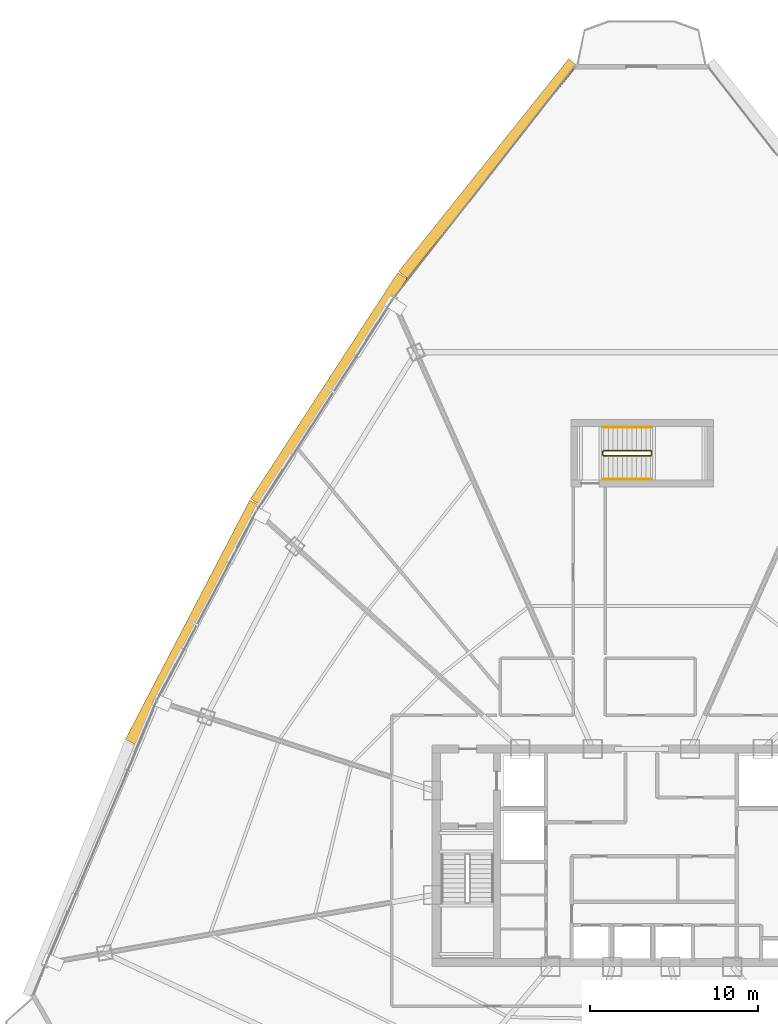
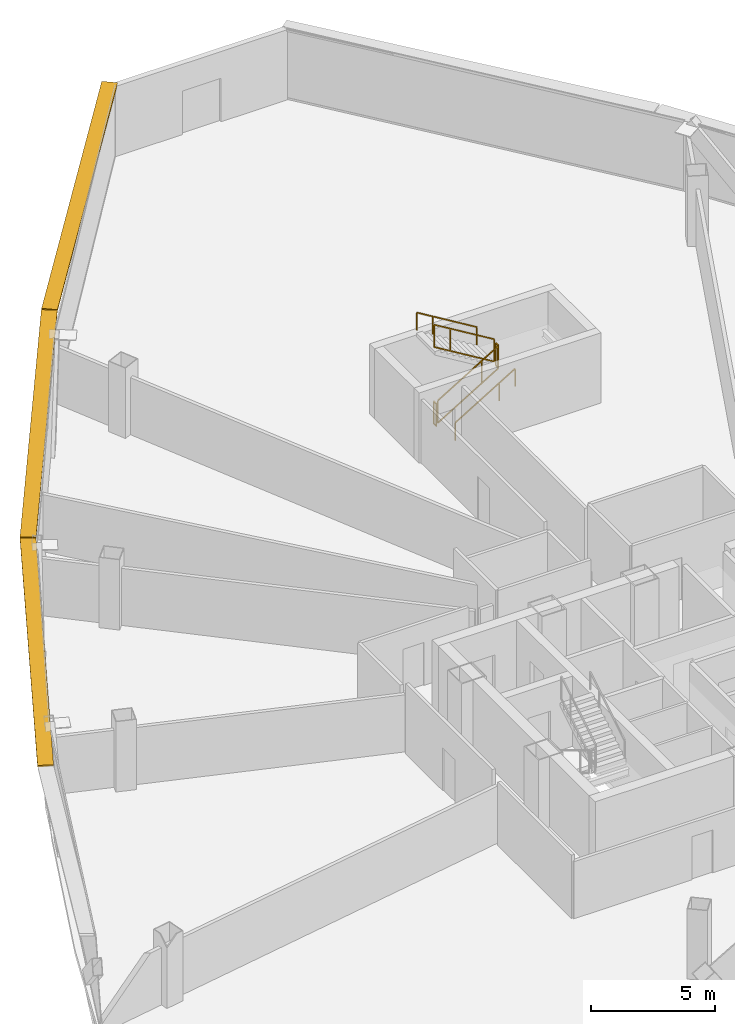
# One storey, part 34 of 35: 6 railings, 3 shading devices.
"""IFC4 building model written with IfcOpenShell, lengths in metres."""

from ifc_helpers import new_model, si_unit, direction, frame, origin, origin_2d, place, context, subcontext, project, spatial, rectangle, extrude, source, transform, mapped, material, layer, layer_set, type_object, element, save


model = new_model("IFC4")

# Units and contexts
model_context = context("Model", 3, precision=1e-05, world=origin(), true_north=direction((0.0, 1.0)))
body_context = subcontext(model_context, "Body", "Model", "MODEL_VIEW")
ifc_project = project(units=[si_unit("LENGTHUNIT", "METRE"), si_unit("AREAUNIT", "SQUARE_METRE"), si_unit("VOLUMEUNIT", "CUBIC_METRE"), si_unit("PLANEANGLEUNIT", "RADIAN"), si_unit("MASSUNIT", "GRAM", prefix="KILO"), si_unit("THERMODYNAMICTEMPERATUREUNIT", "KELVIN"), si_unit("POWERUNIT", "WATT")], contexts=[model_context])

# Site, building, storey
site_placement = place(None, origin())
site = spatial("IfcSite", under=ifc_project, at=site_placement, CompositionType="ELEMENT")
building_placement = place(site_placement, origin())
building = spatial("IfcBuilding", under=site, at=building_placement, Name="Yunzhuo Pagoda Commons", CompositionType="ELEMENT")
storey_placement = place(building_placement, frame((0.0, 0.0, 237.070068359375)))
storey = spatial("IfcBuildingStorey", under=building, at=storey_placement, Name="L59", CompositionType="ELEMENT", Elevation=237.070068359375)

# Railings
ifc_material = material(Name="Anodized aluminium 6063-T6", Category="aluminium")
railing_type_1 = type_object("IfcRailingType", Name="GR-ST3 North Well Guardrail 1155", PredefinedType="GUARDRAIL", material=ifc_material)
railing_1_placement = place(storey_placement, frame((45.75, 57.64990234375, 0.16943359375)))
element("IfcRailing", 1, at=railing_1_placement, inside=storey, type_object=railing_type_1, Name="L59 ST3 stair guard 1", PredefinedType="GUARDRAIL", context=body_context, shape_type="SweptSolid", body=[
    extrude(rectangle(XDim=0.048095703125, YDim=0.048095703125, at=origin_2d()), frame((0.0, 0.0, 1.1259765625), z_axis=(0.855393119324, 0.0, 0.517979354234), x_axis=(0.0, 1.0, 0.0)), (0.0, 0.0, 1.0), 3.2734375),
    extrude(rectangle(XDim=0.048095703125, YDim=0.048095703125, at=origin_2d()), frame((0.0, 0.0, 0.02392578125), z_axis=(0.855393119324, 0.0, 0.517979354234), x_axis=(0.0, 1.0, 0.0)), (0.0, 0.0, 1.0), 3.2734375),
    extrude(rectangle(XDim=0.0419921875, YDim=0.0419921875, at=origin_2d()), origin(), (0.0, 0.0, 1.0), 1.101806640625),
    extrude(rectangle(XDim=0.0419921875, YDim=0.0419921875, at=origin_2d()), frame((2.052978515625, 0.0, 1.2431640625)), (0.0, 0.0, 1.0), 1.101806640625),
    extrude(rectangle(XDim=0.0419921875, YDim=0.0419921875, at=origin_2d()), frame((2.800048828125, 0.0, 1.695556640625)), (0.0, 0.0, 1.0), 1.101806640625),
])
railing_2_placement = place(storey_placement, frame((48.60009765625, 57.699951171875, 1.864990234375)))
element("IfcRailing", 2, at=railing_2_placement, inside=storey, type_object=railing_type_1, Name="L59 ST3 stair guard 2", PredefinedType="GUARDRAIL", context=body_context, shape_type="SweptSolid", body=[
    extrude(rectangle(XDim=0.048095703125, YDim=0.048095703125, at=origin_2d()), frame((0.0, 0.0, 1.1259765625), z_axis=(0.0, 1.0, 0.0), x_axis=(-1.0, 0.0, 0.0)), (0.0, 0.0, 1.0), 0.199951171875),
    extrude(rectangle(XDim=0.048095703125, YDim=0.048095703125, at=origin_2d()), frame((0.0, 0.0, 0.02392578125), z_axis=(0.0, 1.0, 0.0), x_axis=(-1.0, 0.0, 0.0)), (0.0, 0.0, 1.0), 0.199951171875),
    extrude(rectangle(XDim=0.0419921875, YDim=0.0419921875, at=origin_2d()), origin(), (0.0, 0.0, 1.0), 1.101806640625),
    extrude(rectangle(XDim=0.0419921875, YDim=0.0419921875, at=origin_2d()), frame((0.0, 0.199951171875, 0.0)), (0.0, 0.0, 1.0), 1.101806640625),
])
railing_3_placement = place(storey_placement, frame((48.550048828125, 57.949951171875, 2.034423828125)))
element("IfcRailing", 3, at=railing_3_placement, inside=storey, type_object=railing_type_1, Name="L59 ST3 stair guard 3", PredefinedType="GUARDRAIL", context=body_context, shape_type="SweptSolid", body=[
    extrude(rectangle(XDim=0.048095703125, YDim=0.048095703125, at=origin_2d()), frame((0.0, 0.0, 1.1259765625), z_axis=(-0.855393119324, 0.0, 0.517979354234), x_axis=(0.0, -1.0, 0.0)), (0.0, 0.0, 1.0), 3.2734375),
    extrude(rectangle(XDim=0.048095703125, YDim=0.048095703125, at=origin_2d()), frame((0.0, 0.0, 0.02392578125), z_axis=(-0.855393119324, 0.0, 0.517979354234), x_axis=(0.0, -1.0, 0.0)), (0.0, 0.0, 1.0), 3.2734375),
    extrude(rectangle(XDim=0.0419921875, YDim=0.0419921875, at=origin_2d()), origin(), (0.0, 0.0, 1.0), 1.101806640625),
    extrude(rectangle(XDim=0.0419921875, YDim=0.0419921875, at=origin_2d()), frame((-2.052978515625, 0.0, 1.2431640625)), (0.0, 0.0, 1.0), 1.101806640625),
    extrude(rectangle(XDim=0.0419921875, YDim=0.0419921875, at=origin_2d()), frame((-2.800048828125, 0.0, 1.695556640625)), (0.0, 0.0, 1.0), 1.101806640625),
])
railing_4_placement = place(storey_placement, frame((45.699951171875, 57.699951171875, 0.0)))
element("IfcRailing", 4, at=railing_4_placement, inside=storey, type_object=railing_type_1, Name="L59 ST3 stair guard 4", PredefinedType="GUARDRAIL", context=body_context, shape_type="SweptSolid", body=[
    extrude(rectangle(XDim=0.048095703125, YDim=0.048095703125, at=origin_2d()), frame((0.0, 0.0, 1.1259765625), z_axis=(0.0, 1.0, 0.0), x_axis=(-1.0, 0.0, 0.0)), (0.0, 0.0, 1.0), 0.199951171875),
    extrude(rectangle(XDim=0.048095703125, YDim=0.048095703125, at=origin_2d()), frame((0.0, 0.0, 0.02392578125), z_axis=(0.0, 1.0, 0.0), x_axis=(-1.0, 0.0, 0.0)), (0.0, 0.0, 1.0), 0.199951171875),
    extrude(rectangle(XDim=0.0419921875, YDim=0.0419921875, at=origin_2d()), origin(), (0.0, 0.0, 1.0), 1.101806640625),
    extrude(rectangle(XDim=0.0419921875, YDim=0.0419921875, at=origin_2d()), frame((0.0, 0.199951171875, 0.0)), (0.0, 0.0, 1.0), 1.101806640625),
])
railing_type_2 = type_object("IfcRailingType", Name="HR-ST3 North Stair Handrail 900", PredefinedType="HANDRAIL", material=ifc_material)
railing_5_placement = place(storey_placement, frame((45.75, 56.25, 0.16943359375)))
element("IfcRailing", 5, at=railing_5_placement, inside=storey, type_object=railing_type_2, Name="L59 ST3 stair handrail 1", PredefinedType="HANDRAIL", context=body_context, shape_type="SweptSolid", body=[
    extrude(rectangle(XDim=0.048095703125, YDim=0.048095703125, at=origin_2d()), frame((0.0, 0.0, 0.8759765625), z_axis=(0.855393119324, 0.0, 0.517979354234), x_axis=(0.0, 1.0, 0.0)), (0.0, 0.0, 1.0), 3.2734375),
    extrude(rectangle(XDim=0.0419921875, YDim=0.0419921875, at=origin_2d()), origin(), (0.0, 0.0, 1.0), 0.851806640625),
    extrude(rectangle(XDim=0.0419921875, YDim=0.0419921875, at=origin_2d()), frame((2.052978515625, 0.0, 1.2431640625)), (0.0, 0.0, 1.0), 0.851806640625),
    extrude(rectangle(XDim=0.0419921875, YDim=0.0419921875, at=origin_2d()), frame((2.800048828125, 0.0, 1.695556640625)), (0.0, 0.0, 1.0), 0.851806640625),
])
railing_6_placement = place(storey_placement, frame((48.550048828125, 59.35009765625, 2.034423828125)))
element("IfcRailing", 6, at=railing_6_placement, inside=storey, type_object=railing_type_2, Name="L59 ST3 stair handrail 2", PredefinedType="HANDRAIL", context=body_context, shape_type="SweptSolid", body=[
    extrude(rectangle(XDim=0.048095703125, YDim=0.048095703125, at=origin_2d()), frame((0.0, 0.0, 0.8759765625), z_axis=(-0.855393119324, 0.0, 0.517979354234), x_axis=(0.0, -1.0, 0.0)), (0.0, 0.0, 1.0), 3.2734375),
    extrude(rectangle(XDim=0.0419921875, YDim=0.0419921875, at=origin_2d()), origin(), (0.0, 0.0, 1.0), 0.851806640625),
    extrude(rectangle(XDim=0.0419921875, YDim=0.0419921875, at=origin_2d()), frame((-2.052978515625, 0.0, 1.2431640625)), (0.0, 0.0, 1.0), 0.851806640625),
    extrude(rectangle(XDim=0.0419921875, YDim=0.0419921875, at=origin_2d()), frame((-2.800048828125, 0.0, 1.695556640625)), (0.0, 0.0, 1.0), 0.851806640625),
])

# Shading devices
ifc_layer = layer(ifc_material, 0.080078125)
ifc_layer_set = layer_set([ifc_layer], Name="Anodized aluminium 6063-T6")
shading_device_type = type_object("IfcShadingDeviceType", Name="SH-SUN1 Pagoda Horizontal Sunshade Eave 650", PredefinedType="USERDEFINED", material=ifc_layer_set)
shared_shape_1 = source(origin(), body_context, "Body", "SweptSolid", [
    extrude(rectangle(XDim=16.2041015625, YDim=0.64990234375, at=origin_2d()), origin(), (0.0, 0.0, 1.0), 0.080078125),
])
shading_device_placement = place(storey_placement, frame((38.869384765625, 74.73828125, 3.389892578125), z_axis=(0.0, 0.0, 1.0), x_axis=(-0.624520471688, -0.781008438138, 0.0)))
element("IfcShadingDevice", 7, at=shading_device_placement, inside=storey, type_object=shading_device_type, Name="L59 horizontal pagoda sunshade eave F3.1", ObjectType="SUNSHADE", PredefinedType="USERDEFINED", context=body_context, shape_type="MappedRepresentation", body=[
    mapped(shared_shape_1, transform((0.0, 0.0, 0.0), scale=1.0)),
])
shared_shape_2 = source(origin(), body_context, "Body", "SweptSolid", [
    extrude(rectangle(XDim=16.05029296875, YDim=0.64990234375, at=origin_2d()), origin(), (0.0, 0.0, 1.0), 0.080078125),
])
for number, where, z_axis, x_axis, name in (
    (8, (29.391845703125, 61.63525390625, 3.389892578125), (0.0, 0.0, 1.0), (-0.545838756973, -0.837890238269, 0.0), "L59 horizontal pagoda sunshade eave F3.2"),
    (9, (21.2783203125, 47.735595703125, 3.389892578125), (0.0, 0.0, 1.0), (-0.461206683033, -0.88729273384, 0.0), "L59 horizontal pagoda sunshade eave F3.3"),
):
    element("IfcShadingDevice", number, at=place(storey_placement, frame(where, z_axis=z_axis, x_axis=x_axis)), inside=storey, type_object=shading_device_type, Name=name, ObjectType="SUNSHADE", PredefinedType="USERDEFINED", context=body_context, shape_type="MappedRepresentation", body=[
        mapped(shared_shape_2, transform((0.0, 0.0, 0.0), scale=1.0)),
    ])

save(model, "model.ifc")
